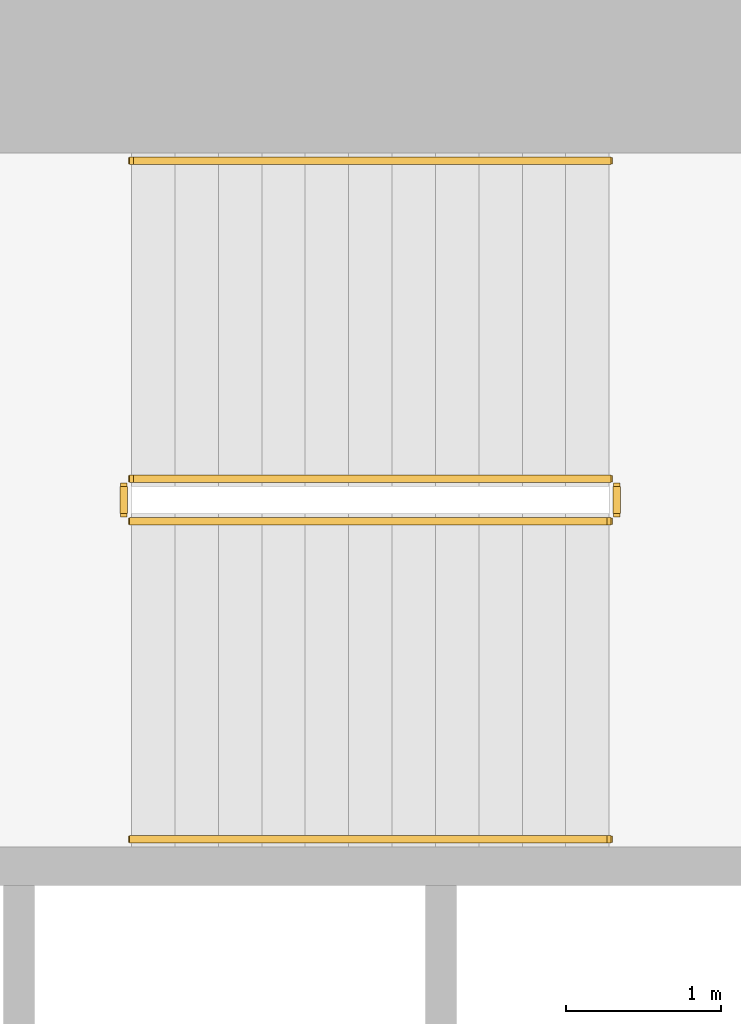
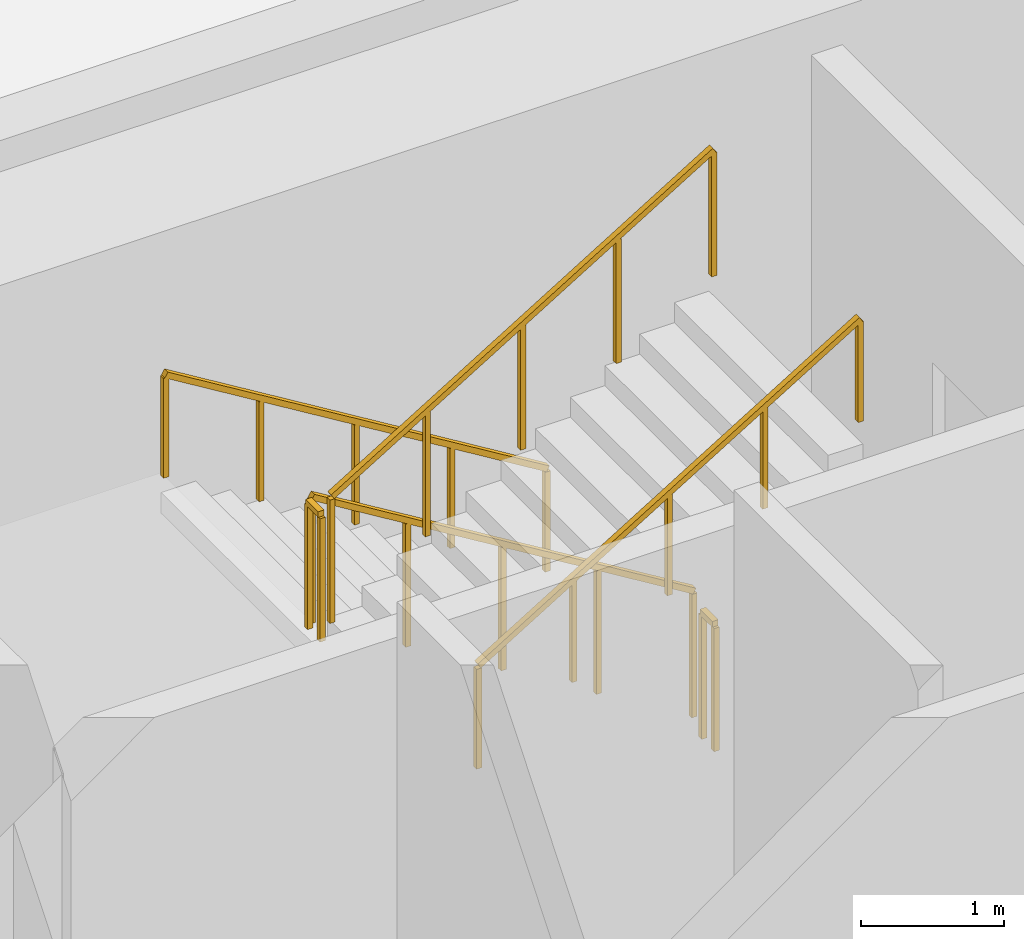
# One storey, part 16 of 18: 6 railings.
"""IFC4 building model written with IfcOpenShell, lengths in metres."""

from ifc_helpers import new_model, si_unit, direction, frame, origin, origin_2d, place, context, subcontext, project, spatial, rectangle, extrude, material, type_object, element, save


model = new_model("IFC4")

# Units and contexts
model_context = context("Model", 3, precision=1e-05, world=origin(), true_north=direction((0.0, 1.0)))
body_context = subcontext(model_context, "Body", "Model", "MODEL_VIEW")
ifc_project = project(units=[si_unit("LENGTHUNIT", "METRE"), si_unit("AREAUNIT", "SQUARE_METRE"), si_unit("VOLUMEUNIT", "CUBIC_METRE"), si_unit("PLANEANGLEUNIT", "RADIAN"), si_unit("MASSUNIT", "GRAM", prefix="KILO")], contexts=[model_context])

# Site, building, storey
site_placement = place(None, origin())
site = spatial("IfcSite", under=ifc_project, at=site_placement, CompositionType="ELEMENT")
building_placement = place(site_placement, origin())
building = spatial("IfcBuilding", under=site, at=building_placement, Name="Cypress Arch Tower", CompositionType="ELEMENT")
storey_placement = place(building_placement, frame((0.0, 0.0, 160.5)))
storey = spatial("IfcBuildingStorey", under=building, at=storey_placement, Name="L34", CompositionType="ELEMENT", Elevation=160.5)

# Railings
ifc_material_1 = material(Name="Black powder-coated steel square bar 48 mm", Category="steel")
railing_type_1 = type_object("IfcRailingType", Name="Stair handrail HR1", PredefinedType="HANDRAIL", material=ifc_material_1)
railing_1_placement = place(storey_placement, frame((-22.27490234375, 14.75, 0.1708984375)))
element("IfcRailing", 1, at=railing_1_placement, inside=storey, type_object=railing_type_1, Name="L34 B stair handrail 1", PredefinedType="HANDRAIL", context=body_context, shape_type="SweptSolid", body=[
    extrude(rectangle(XDim=0.048095703125, YDim=0.048095703125, at=origin_2d()), frame((0.0, 0.0, 0.8759765625), z_axis=(-0.853666305674, 0.0, 0.52082035152), x_axis=(0.0, -1.0, 0.0)), (0.0, 0.0, 1.0), 3.608154296875),
    extrude(rectangle(XDim=0.0419921875, YDim=0.0419921875, at=origin_2d()), origin(), (0.0, 0.0, 1.0), 0.851806640625),
    extrude(rectangle(XDim=0.0419921875, YDim=0.0419921875, at=origin_2d()), frame((-0.77001953125, 0.0, 0.4697265625)), (0.0, 0.0, 1.0), 0.851806640625),
    extrude(rectangle(XDim=0.0419921875, YDim=0.0419921875, at=origin_2d()), frame((-1.5400390625, 0.0, 0.939453125)), (0.0, 0.0, 1.0), 0.851806640625),
    extrude(rectangle(XDim=0.0419921875, YDim=0.0419921875, at=origin_2d()), frame((-2.31005859375, 0.0, 1.409423828125)), (0.0, 0.0, 1.0), 0.851806640625),
    extrude(rectangle(XDim=0.0419921875, YDim=0.0419921875, at=origin_2d()), frame((-3.080078125, 0.0, 1.879150390625)), (0.0, 0.0, 1.0), 0.851806640625),
])
railing_2_placement = place(storey_placement, frame((-25.35498046875, 10.375, 2.220947265625)))
element("IfcRailing", 2, at=railing_2_placement, inside=storey, type_object=railing_type_1, Name="L34 B stair handrail 2", PredefinedType="HANDRAIL", context=body_context, shape_type="SweptSolid", body=[
    extrude(rectangle(XDim=0.048095703125, YDim=0.048095703125, at=origin_2d()), frame((0.0, 0.0, 0.8759765625), z_axis=(0.853666305674, 0.0, 0.52082035152), x_axis=(0.0, 1.0, 0.0)), (0.0, 0.0, 1.0), 3.608154296875),
    extrude(rectangle(XDim=0.0419921875, YDim=0.0419921875, at=origin_2d()), origin(), (0.0, 0.0, 1.0), 0.851806640625),
    extrude(rectangle(XDim=0.0419921875, YDim=0.0419921875, at=origin_2d()), frame((0.77001953125, 0.0, 0.4697265625)), (0.0, 0.0, 1.0), 0.851806640625),
    extrude(rectangle(XDim=0.0419921875, YDim=0.0419921875, at=origin_2d()), frame((1.5400390625, 0.0, 0.939453125)), (0.0, 0.0, 1.0), 0.851806640625),
    extrude(rectangle(XDim=0.0419921875, YDim=0.0419921875, at=origin_2d()), frame((2.31005859375, 0.0, 1.409423828125)), (0.0, 0.0, 1.0), 0.851806640625),
    extrude(rectangle(XDim=0.0419921875, YDim=0.0419921875, at=origin_2d()), frame((3.080078125, 0.0, 1.879150390625)), (0.0, 0.0, 1.0), 0.851806640625),
])
ifc_material_2 = material(Name="Black powder-coated steel balusters", Category="steel")
railing_type_2 = type_object("IfcRailingType", Name="Stair well guard G1", PredefinedType="GUARDRAIL", material=ifc_material_2)
railing_3_placement = place(storey_placement, frame((-22.27490234375, 12.699951171875, 0.1708984375)))
element("IfcRailing", 3, at=railing_3_placement, inside=storey, type_object=railing_type_2, Name="L34 B stair guard 1", PredefinedType="GUARDRAIL", context=body_context, shape_type="SweptSolid", body=[
    extrude(rectangle(XDim=0.048095703125, YDim=0.048095703125, at=origin_2d()), frame((0.0, 0.0, 1.076171875), z_axis=(-0.853666305674, 0.0, 0.52082035152), x_axis=(0.0, -1.0, 0.0)), (0.0, 0.0, 1.0), 3.608154296875),
    extrude(rectangle(XDim=0.0419921875, YDim=0.0419921875, at=origin_2d()), origin(), (0.0, 0.0, 1.0), 1.052001953125),
    extrude(rectangle(XDim=0.0419921875, YDim=0.0419921875, at=origin_2d()), frame((-0.77001953125, 0.0, 0.4697265625)), (0.0, 0.0, 1.0), 1.052001953125),
    extrude(rectangle(XDim=0.0419921875, YDim=0.0419921875, at=origin_2d()), frame((-1.5400390625, 0.0, 0.939453125)), (0.0, 0.0, 1.0), 1.052001953125),
    extrude(rectangle(XDim=0.0419921875, YDim=0.0419921875, at=origin_2d()), frame((-2.31005859375, 0.0, 1.409423828125)), (0.0, 0.0, 1.0), 1.052001953125),
    extrude(rectangle(XDim=0.0419921875, YDim=0.0419921875, at=origin_2d()), frame((-3.080078125, 0.0, 1.879150390625)), (0.0, 0.0, 1.0), 1.052001953125),
])
railing_4_placement = place(storey_placement, frame((-25.405029296875, 12.64990234375, 2.050048828125)))
element("IfcRailing", 4, at=railing_4_placement, inside=storey, type_object=railing_type_2, Name="L34 B stair guard 2", PredefinedType="GUARDRAIL", context=body_context, shape_type="SweptSolid", body=[
    extrude(rectangle(XDim=0.048095703125, YDim=0.048095703125, at=origin_2d()), frame((0.0, 0.0, 1.076171875), z_axis=(0.0, -1.0, 0.0), x_axis=(1.0, 0.0, 0.0)), (0.0, 0.0, 1.0), 0.1748046875),
    extrude(rectangle(XDim=0.0419921875, YDim=0.0419921875, at=origin_2d()), origin(), (0.0, 0.0, 1.0), 1.052001953125),
    extrude(rectangle(XDim=0.0419921875, YDim=0.0419921875, at=origin_2d()), frame((0.0, -0.1748046875, 0.0)), (0.0, 0.0, 1.0), 1.052001953125),
])
railing_5_placement = place(storey_placement, frame((-25.35498046875, 12.425048828125, 2.220947265625)))
element("IfcRailing", 5, at=railing_5_placement, inside=storey, type_object=railing_type_2, Name="L34 B stair guard 3", PredefinedType="GUARDRAIL", context=body_context, shape_type="SweptSolid", body=[
    extrude(rectangle(XDim=0.048095703125, YDim=0.048095703125, at=origin_2d()), frame((0.0, 0.0, 1.076171875), z_axis=(0.853666305674, 0.0, 0.52082035152), x_axis=(0.0, 1.0, 0.0)), (0.0, 0.0, 1.0), 3.608154296875),
    extrude(rectangle(XDim=0.0419921875, YDim=0.0419921875, at=origin_2d()), origin(), (0.0, 0.0, 1.0), 1.052001953125),
    extrude(rectangle(XDim=0.0419921875, YDim=0.0419921875, at=origin_2d()), frame((0.77001953125, 0.0, 0.4697265625)), (0.0, 0.0, 1.0), 1.052001953125),
    extrude(rectangle(XDim=0.0419921875, YDim=0.0419921875, at=origin_2d()), frame((1.5400390625, 0.0, 0.939453125)), (0.0, 0.0, 1.0), 1.052001953125),
    extrude(rectangle(XDim=0.0419921875, YDim=0.0419921875, at=origin_2d()), frame((2.31005859375, 0.0, 1.409423828125)), (0.0, 0.0, 1.0), 1.052001953125),
    extrude(rectangle(XDim=0.0419921875, YDim=0.0419921875, at=origin_2d()), frame((3.080078125, 0.0, 1.879150390625)), (0.0, 0.0, 1.0), 1.052001953125),
])
railing_6_placement = place(storey_placement, frame((-22.22509765625, 12.64990234375, 0.0)))
element("IfcRailing", 6, at=railing_6_placement, inside=storey, type_object=railing_type_2, Name="L34 B stair guard 4", PredefinedType="GUARDRAIL", context=body_context, shape_type="SweptSolid", body=[
    extrude(rectangle(XDim=0.048095703125, YDim=0.048095703125, at=origin_2d()), frame((0.0, 0.0, 1.076171875), z_axis=(0.0, -1.0, 0.0), x_axis=(1.0, 0.0, 0.0)), (0.0, 0.0, 1.0), 0.1748046875),
    extrude(rectangle(XDim=0.0419921875, YDim=0.0419921875, at=origin_2d()), origin(), (0.0, 0.0, 1.0), 1.052001953125),
    extrude(rectangle(XDim=0.0419921875, YDim=0.0419921875, at=origin_2d()), frame((0.0, -0.1748046875, 0.0)), (0.0, 0.0, 1.0), 1.052001953125),
])

save(model, "model.ifc")
